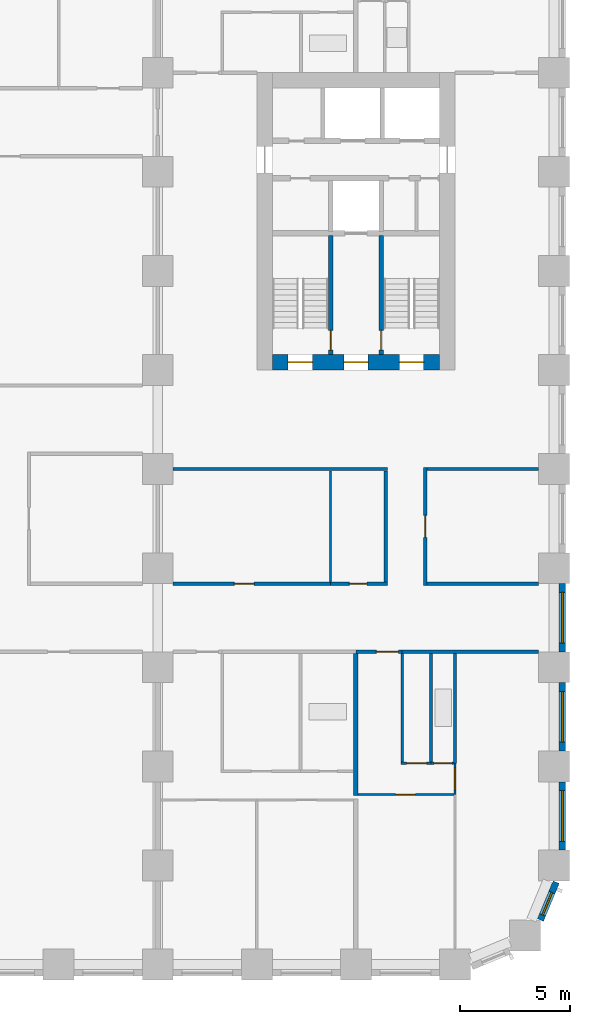
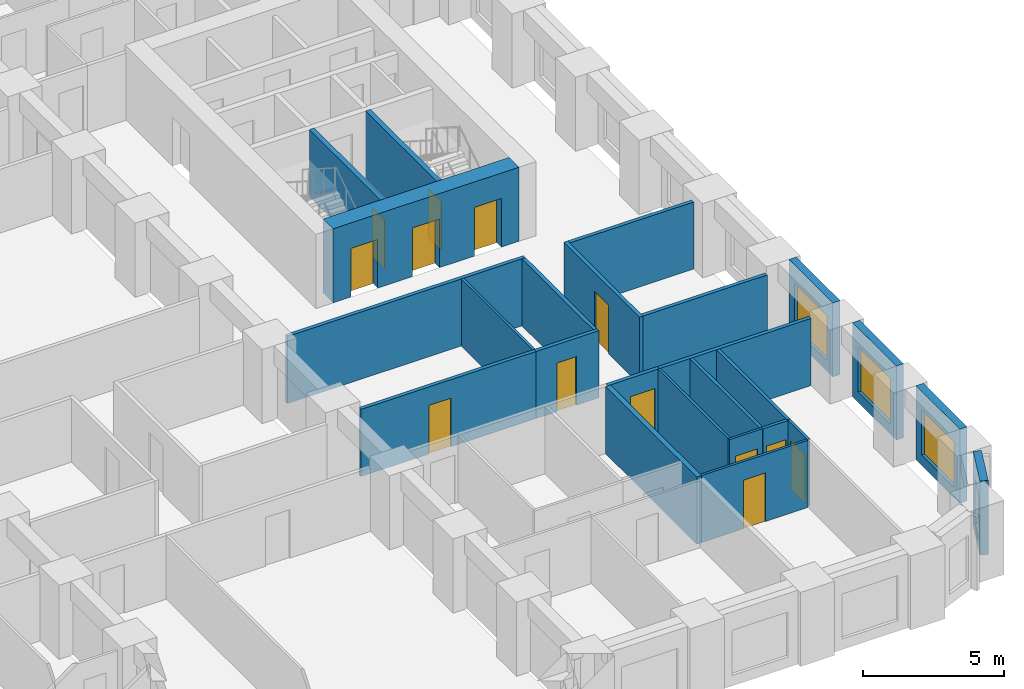
# One storey, part 5 of 12: 25 walls, 13 doors, 4 windows, 17 openings.
"""IFC4 building model written with IfcOpenShell, lengths in metres."""

from ifc_helpers import new_model, si_unit, direction, frame, frame_2d, origin, place, context, subcontext, project, spatial, rectangle, extrude, material, layer, layer_set, type_object, element, fill, save


model = new_model("IFC4")

# Units and contexts
model_context = context("Model", 3, precision=1e-05, world=origin(), true_north=direction((0.0, 1.0)))
body_context = subcontext(model_context, "Body", "Model", "MODEL_VIEW")
ifc_project = project(units=[si_unit("LENGTHUNIT", "METRE"), si_unit("AREAUNIT", "SQUARE_METRE"), si_unit("VOLUMEUNIT", "CUBIC_METRE"), si_unit("PLANEANGLEUNIT", "RADIAN"), si_unit("MASSUNIT", "GRAM", prefix="KILO")], contexts=[model_context])

# Site, building, storey
site_placement = place(None, origin())
site = spatial("IfcSite", under=ifc_project, at=site_placement, CompositionType="ELEMENT")
building_placement = place(site_placement, origin())
building = spatial("IfcBuilding", under=site, at=building_placement, Name="Girih Gate Residences", CompositionType="ELEMENT")
storey_placement = place(building_placement, frame((0.0, 0.0, 65.60009765625)))
storey = spatial("IfcBuildingStorey", under=building, at=storey_placement, Name="L17", CompositionType="ELEMENT", Elevation=65.60009765625)

# Wall, opening, door
ifc_material_1 = material(Name="Gypsum board on steel studs", Category="steel")
ifc_layer_1 = layer(ifc_material_1, 0.14990234375)
ifc_layer_set_1 = layer_set([ifc_layer_1], Name="Compartment wall 150 mm")
wall_type_1 = type_object("IfcWallType", Name="Compartment wall 150 mm", PredefinedType="PARTITIONING", material=ifc_layer_set_1)
wall_1_placement = place(storey_placement, frame((42.60009765625, 14.199951171875, 0.0), z_axis=(0.0, 0.0, 1.0), x_axis=(-1.0, 0.0, 0.0)))
wall_1 = element("IfcWall", 1, at=wall_1_placement, inside=storey, type_object=wall_type_1, Name="L17 partition", PredefinedType="PARTITIONING", context=body_context, shape_type="SweptSolid", body=[
    extrude(rectangle(XDim=2.10009765625, YDim=0.14990234375, at=frame_2d((1.050048828125, 0.0))), origin(), (0.0, 0.0, 1.0), 2.89990234375),
])
opening_1_placement = place(wall_1_placement, frame((0.175048828125, 0.0, 0.0)))
opening_1 = element("IfcOpeningElement", 2, at=opening_1_placement, cuts=wall_1, Name="Opening A17-022", PredefinedType="OPENING", context=body_context, shape_type="SweptSolid", body=[
    extrude(rectangle(XDim=1.0, YDim=2.10009765625, at=frame_2d((0.5, 1.050048828125))), frame((0.0, 0.0849609375, 0.0), z_axis=(0.0, -1.0, 0.0), x_axis=(1.0, 0.0, 0.0)), (0.0, 0.0, 1.0), 0.169921875),
])
ifc_material_2 = material(Name="Timber, fire-rated core", Category="wood")
door_type_1 = type_object("IfcDoorType", Name="Flat entrance door 1000x2100 FD30S", OperationType="NOTDEFINED", PredefinedType="DOOR", material=ifc_material_2)
door_1_placement = place(opening_1_placement, origin())
door_1 = element("IfcDoor", 3, at=door_1_placement, inside=storey, type_object=door_type_1, Name="Door A17-022", OperationType="SINGLE_SWING_LEFT", OverallHeight=2.10009765625, OverallWidth=1.0, PredefinedType="DOOR", context=body_context, shape_type="SweptSolid", body=[
    extrude(rectangle(XDim=1.0, YDim=2.10009765625, at=frame_2d((0.5, 1.050048828125))), frame((0.0, 0.02490234375, 0.0), z_axis=(0.0, -1.0, 0.0), x_axis=(1.0, 0.0, 0.0)), (0.0, 0.0, 1.0), 0.050048828125),
])
fill(opening_1, door_1)

# Wall
wall_2_placement = place(storey_placement, frame((42.60009765625, 14.199951171875, 0.0), z_axis=(0.0, 0.0, 1.0), x_axis=(1.0, 0.0, 0.0)))
element("IfcWall", 4, at=wall_2_placement, inside=storey, type_object=wall_type_1, Name="L17 partition", PredefinedType="PARTITIONING", context=body_context, shape_type="SweptSolid", body=[
    extrude(rectangle(XDim=6.199951171875, YDim=0.14990234375, at=frame_2d((3.10009765625, 0.0))), origin(), (0.0, 0.0, 1.0), 2.89990234375),
])

# Wall, opening, door
wall_3_placement = place(storey_placement, frame((32.199951171875, 17.300048828125, 0.0), z_axis=(0.0, 0.0, 1.0), x_axis=(1.0, 0.0, 0.0)))
wall_3 = element("IfcWall", 5, at=wall_3_placement, inside=storey, type_object=wall_type_1, Name="L17 partition", PredefinedType="PARTITIONING", context=body_context, shape_type="SweptSolid", body=[
    extrude(rectangle(XDim=7.150146484375, YDim=0.14990234375, at=frame_2d((3.5751953125, 0.0))), origin(), (0.0, 0.0, 1.0), 2.89990234375),
])
opening_2_placement = place(wall_3_placement, frame((2.77490234375, 0.0, 0.0)))
opening_2 = element("IfcOpeningElement", 6, at=opening_2_placement, cuts=wall_3, Name="Opening A17-047", PredefinedType="OPENING", context=body_context, shape_type="SweptSolid", body=[
    extrude(rectangle(XDim=0.89990234375, YDim=2.10009765625, at=frame_2d((0.449951171875, 1.050048828125))), frame((0.0, 0.0849609375, 0.0), z_axis=(0.0, -1.0, 0.0), x_axis=(1.0, 0.0, 0.0)), (0.0, 0.0, 1.0), 0.169921875),
])
ifc_material_3 = material(Name="Timber", Category="wood")
door_type_2 = type_object("IfcDoorType", Name="Service room door 900x2100", OperationType="NOTDEFINED", PredefinedType="DOOR", material=ifc_material_3)
door_2_placement = place(opening_2_placement, origin())
door_2 = element("IfcDoor", 7, at=door_2_placement, inside=storey, type_object=door_type_2, Name="Door A17-047", OperationType="SINGLE_SWING_LEFT", OverallHeight=2.10009765625, OverallWidth=0.89990234375, PredefinedType="DOOR", context=body_context, shape_type="SweptSolid", body=[
    extrude(rectangle(XDim=0.89990234375, YDim=2.10009765625, at=frame_2d((0.449951171875, 1.050048828125))), frame((0.0, 0.02490234375, 0.0), z_axis=(0.0, -1.0, 0.0), x_axis=(1.0, 0.0, 0.0)), (0.0, 0.0, 1.0), 0.050048828125),
])
fill(opening_2, door_2)

wall_4_placement = place(storey_placement, frame((39.35009765625, 17.300048828125, 0.0), z_axis=(0.0, 0.0, 1.0), x_axis=(1.0, 0.0, 0.0)))
wall_4 = element("IfcWall", 8, at=wall_4_placement, inside=storey, type_object=wall_type_1, Name="L17 partition", PredefinedType="PARTITIONING", context=body_context, shape_type="SweptSolid", body=[
    extrude(rectangle(XDim=2.574951171875, YDim=0.14990234375, at=frame_2d((1.28759765625, 0.0))), origin(), (0.0, 0.0, 1.0), 2.89990234375),
])
opening_3_placement = place(wall_4_placement, frame((0.85009765625, 0.0, 0.0)))
opening_3 = element("IfcOpeningElement", 9, at=opening_3_placement, cuts=wall_4, Name="Opening A17-049", PredefinedType="OPENING", context=body_context, shape_type="SweptSolid", body=[
    extrude(rectangle(XDim=0.800048828125, YDim=2.10009765625, at=frame_2d((0.39990234375, 1.050048828125))), frame((0.0, 0.0849609375, 0.0), z_axis=(0.0, -1.0, 0.0), x_axis=(1.0, 0.0, 0.0)), (0.0, 0.0, 1.0), 0.169921875),
])
door_type_3 = type_object("IfcDoorType", Name="Bathroom door 800x2100", OperationType="NOTDEFINED", PredefinedType="DOOR", material=ifc_material_3)
door_3_placement = place(opening_3_placement, origin())
door_3 = element("IfcDoor", 10, at=door_3_placement, inside=storey, type_object=door_type_3, Name="Door A17-049", OperationType="SINGLE_SWING_LEFT", OverallHeight=2.10009765625, OverallWidth=0.800048828125, PredefinedType="DOOR", context=body_context, shape_type="SweptSolid", body=[
    extrude(rectangle(XDim=0.800048828125, YDim=2.10009765625, at=frame_2d((0.39990234375, 1.050048828125))), frame((0.0, 0.02490234375, 0.0), z_axis=(0.0, -1.0, 0.0), x_axis=(1.0, 0.0, 0.0)), (0.0, 0.0, 1.0), 0.050048828125),
])
fill(opening_3, door_3)

# Walls
wall_5_placement = place(storey_placement, frame((43.72509765625, 17.300048828125, 0.0), z_axis=(0.0, 0.0, 1.0), x_axis=(1.0, 0.0, 0.0)))
element("IfcWall", 11, at=wall_5_placement, inside=storey, type_object=wall_type_1, Name="L17 partition", PredefinedType="PARTITIONING", context=body_context, shape_type="SweptSolid", body=[
    extrude(rectangle(XDim=5.074951171875, YDim=0.14990234375, at=frame_2d((2.53759765625, 0.0))), origin(), (0.0, 0.0, 1.0), 2.89990234375),
])
wall_6_placement = place(storey_placement, frame((32.199951171875, 22.5, 0.0), z_axis=(0.0, 0.0, 1.0), x_axis=(1.0, 0.0, 0.0)))
element("IfcWall", 12, at=wall_6_placement, inside=storey, type_object=wall_type_1, Name="L17 partition", PredefinedType="PARTITIONING", context=body_context, shape_type="SweptSolid", body=[
    extrude(rectangle(XDim=9.72509765625, YDim=0.14990234375, at=frame_2d((4.862548828125, 0.0))), origin(), (0.0, 0.0, 1.0), 2.89990234375),
])
wall_7_placement = place(storey_placement, frame((43.72509765625, 22.5, 0.0), z_axis=(0.0, 0.0, 1.0), x_axis=(1.0, 0.0, 0.0)))
element("IfcWall", 13, at=wall_7_placement, inside=storey, type_object=wall_type_1, Name="L17 partition", PredefinedType="PARTITIONING", context=body_context, shape_type="SweptSolid", body=[
    extrude(rectangle(XDim=5.074951171875, YDim=0.14990234375, at=frame_2d((2.53759765625, 0.0))), origin(), (0.0, 0.0, 1.0), 2.89990234375),
])
wall_8_placement = place(storey_placement, frame((41.85009765625, 17.375, 0.0), z_axis=(0.0, 0.0, 1.0), x_axis=(0.0, 1.0, 0.0)))
element("IfcWall", 14, at=wall_8_placement, inside=storey, type_object=wall_type_1, Name="L17 partition", PredefinedType="PARTITIONING", context=body_context, shape_type="SweptSolid", body=[
    extrude(rectangle(XDim=5.050048828125, YDim=0.14990234375, at=frame_2d((2.52490234375, 0.0))), origin(), (0.0, 0.0, 1.0), 2.89990234375),
])

# Wall, opening, door
wall_9_placement = place(storey_placement, frame((43.64990234375, 22.574951171875, 0.0), z_axis=(0.0, 0.0, 1.0), x_axis=(0.0, -1.0, 0.0)))
wall_9 = element("IfcWall", 15, at=wall_9_placement, inside=storey, type_object=wall_type_1, Name="L17 partition", PredefinedType="PARTITIONING", context=body_context, shape_type="SweptSolid", body=[
    extrude(rectangle(XDim=5.349853515625, YDim=0.14990234375, at=frame_2d((2.6748046875, 0.0))), origin(), (0.0, 0.0, 1.0), 2.89990234375),
])
opening_4_placement = place(wall_9_placement, frame((2.175048828125, 0.0, 0.0)))
opening_4 = element("IfcOpeningElement", 16, at=opening_4_placement, cuts=wall_9, Name="Opening A17-051", PredefinedType="OPENING", context=body_context, shape_type="SweptSolid", body=[
    extrude(rectangle(XDim=1.0, YDim=2.10009765625, at=frame_2d((0.5, 1.050048828125))), frame((0.0, 0.0849609375, 0.0), z_axis=(0.0, -1.0, 0.0), x_axis=(1.0, 0.0, 0.0)), (0.0, 0.0, 1.0), 0.169921875),
])
door_type_4 = type_object("IfcDoorType", Name="Amenity room door 1000x2100 FD30S", OperationType="NOTDEFINED", PredefinedType="DOOR", material=ifc_material_2)
door_4_placement = place(opening_4_placement, origin())
door_4 = element("IfcDoor", 17, at=door_4_placement, inside=storey, type_object=door_type_4, Name="Door A17-051", OperationType="SINGLE_SWING_RIGHT", OverallHeight=2.10009765625, OverallWidth=1.0, PredefinedType="DOOR", context=body_context, shape_type="SweptSolid", body=[
    extrude(rectangle(XDim=1.0, YDim=2.10009765625, at=frame_2d((0.5, 1.050048828125))), frame((0.0, 0.02490234375, 0.0), z_axis=(0.0, -1.0, 0.0), x_axis=(1.0, 0.0, 0.0)), (0.0, 0.0, 1.0), 0.050048828125),
])
fill(opening_4, door_4)

# Wall, openings, doors
ifc_material_4 = material(Name="Concrete C60/75", Category="concrete")
ifc_layer_2 = layer(ifc_material_4, 0.699951171875)
ifc_layer_set_2 = layer_set([ifc_layer_2], Name="Core wall RC 700 Concrete C60/75")
wall_type_2 = type_object("IfcWallType", Name="Core wall RC 700 Concrete C60/75", PredefinedType="SOLIDWALL", material=ifc_layer_set_2)
wall_10_placement = place(storey_placement, frame((36.699951171875, 27.35009765625, 0.0), z_axis=(0.0, 0.0, 1.0), x_axis=(1.0, 0.0, 0.0)))
wall_10 = element("IfcWall", 18, at=wall_10_placement, inside=storey, type_object=wall_type_2, Name="Core wall E-S L17", PredefinedType="SOLIDWALL", context=body_context, shape_type="SweptSolid", body=[
    extrude(rectangle(XDim=7.60009765625, YDim=0.699951171875, at=frame_2d((3.800048828125, 0.0))), origin(), (0.0, 0.0, 1.0), 3.199951171875),
])
opening_5_placement = place(wall_10_placement, frame((5.77490234375, 0.0, 0.0)))
opening_5 = element("IfcOpeningElement", 19, at=opening_5_placement, cuts=wall_10, Name="Opening D-L17-E-010", PredefinedType="OPENING", context=body_context, shape_type="SweptSolid", body=[
    extrude(rectangle(XDim=1.10009765625, YDim=2.10009765625, at=frame_2d((0.550048828125, 1.050048828125))), frame((0.0, 0.35986328125, 0.0), z_axis=(0.0, -1.0, 0.0), x_axis=(1.0, 0.0, 0.0)), (0.0, 0.0, 1.0), 0.719970703125),
])
opening_6_placement = place(wall_10_placement, frame((3.25, 0.0, 0.0)))
opening_6 = element("IfcOpeningElement", 20, at=opening_6_placement, cuts=wall_10, Name="Opening D-L17-E-011", PredefinedType="OPENING", context=body_context, shape_type="SweptSolid", body=[
    extrude(rectangle(XDim=1.10009765625, YDim=2.10009765625, at=frame_2d((0.550048828125, 1.050048828125))), frame((0.0, 0.35986328125, 0.0), z_axis=(0.0, -1.0, 0.0), x_axis=(1.0, 0.0, 0.0)), (0.0, 0.0, 1.0), 0.719970703125),
])
opening_7_placement = place(wall_10_placement, frame((0.72509765625, 0.0, 0.0)))
opening_7 = element("IfcOpeningElement", 21, at=opening_7_placement, cuts=wall_10, Name="Opening D-L17-E-012", PredefinedType="OPENING", context=body_context, shape_type="SweptSolid", body=[
    extrude(rectangle(XDim=1.10009765625, YDim=2.10009765625, at=frame_2d((0.550048828125, 1.050048828125))), frame((0.0, 0.35986328125, 0.0), z_axis=(0.0, -1.0, 0.0), x_axis=(1.0, 0.0, 0.0)), (0.0, 0.0, 1.0), 0.719970703125),
])
ifc_material_5 = material(Name="Painted steel, fire-resisting", Category="steel")
door_type_5 = type_object("IfcDoorType", Name="Fire door 1100x2100", OperationType="SINGLE_SWING_LEFT", PredefinedType="DOOR", material=ifc_material_5)
door_5_placement = place(opening_5_placement, origin())
door_5 = element("IfcDoor", 22, at=door_5_placement, inside=storey, type_object=door_type_5, Name="L17 E core door sta-out", OperationType="SINGLE_SWING_LEFT", OverallHeight=2.10009765625, OverallWidth=1.10009765625, PredefinedType="DOOR", context=body_context, shape_type="SweptSolid", body=[
    extrude(rectangle(XDim=1.10009765625, YDim=2.10009765625, at=frame_2d((0.550048828125, 1.050048828125))), frame((0.0, 0.02490234375, 0.0), z_axis=(0.0, -1.0, 0.0), x_axis=(1.0, 0.0, 0.0)), (0.0, 0.0, 1.0), 0.050048828125),
])
fill(opening_5, door_5)
door_6_placement = place(opening_6_placement, origin())
door_6 = element("IfcDoor", 23, at=door_6_placement, inside=storey, type_object=door_type_5, Name="L17 E core door ffl-out", OperationType="SINGLE_SWING_LEFT", OverallHeight=2.10009765625, OverallWidth=1.10009765625, PredefinedType="DOOR", context=body_context, shape_type="SweptSolid", body=[
    extrude(rectangle(XDim=1.10009765625, YDim=2.10009765625, at=frame_2d((0.550048828125, 1.050048828125))), frame((0.0, 0.02490234375, 0.0), z_axis=(0.0, -1.0, 0.0), x_axis=(1.0, 0.0, 0.0)), (0.0, 0.0, 1.0), 0.050048828125),
])
fill(opening_6, door_6)
door_7_placement = place(opening_7_placement, origin())
door_7 = element("IfcDoor", 24, at=door_7_placement, inside=storey, type_object=door_type_5, Name="L17 E core door stb-out", OperationType="SINGLE_SWING_LEFT", OverallHeight=2.10009765625, OverallWidth=1.10009765625, PredefinedType="DOOR", context=body_context, shape_type="SweptSolid", body=[
    extrude(rectangle(XDim=1.10009765625, YDim=2.10009765625, at=frame_2d((0.550048828125, 1.050048828125))), frame((0.0, 0.02490234375, 0.0), z_axis=(0.0, -1.0, 0.0), x_axis=(1.0, 0.0, 0.0)), (0.0, 0.0, 1.0), 0.050048828125),
])
fill(opening_7, door_7)

# Wall, opening, door
ifc_layer_3 = layer(ifc_material_1, 0.10009765625)
ifc_layer_set_3 = layer_set([ifc_layer_3], Name="Partition 100 mm")
wall_type_3 = type_object("IfcWallType", Name="Partition 100 mm", PredefinedType="PARTITIONING", material=ifc_layer_set_3)
wall_11_placement = place(storey_placement, frame((44.949951171875, 7.719970703125, 0.0), z_axis=(0.0, 0.0, 1.0), x_axis=(-1.0, 0.0, 0.0)))
wall_11 = element("IfcWall", 25, at=wall_11_placement, inside=storey, type_object=wall_type_3, Name="L17 partition", PredefinedType="PARTITIONING", context=body_context, shape_type="SweptSolid", body=[
    extrude(rectangle(XDim=4.349853515625, YDim=0.10009765625, at=frame_2d((2.1748046875, 0.0))), origin(), (0.0, 0.0, 1.0), 2.89990234375),
])
opening_8_placement = place(wall_11_placement, frame((1.75, 0.0, 0.0)))
opening_8 = element("IfcOpeningElement", 26, at=opening_8_placement, cuts=wall_11, Name="Opening A17-019", PredefinedType="OPENING", context=body_context, shape_type="SweptSolid", body=[
    extrude(rectangle(XDim=0.89990234375, YDim=2.10009765625, at=frame_2d((0.449951171875, 1.050048828125))), frame((0.0, 0.06005859375, 0.0), z_axis=(0.0, -1.0, 0.0), x_axis=(1.0, 0.0, 0.0)), (0.0, 0.0, 1.0), 0.1201171875),
])
door_type_6 = type_object("IfcDoorType", Name="Bedroom door 900x2100", OperationType="NOTDEFINED", PredefinedType="DOOR", material=ifc_material_3)
door_8_placement = place(opening_8_placement, origin())
door_8 = element("IfcDoor", 27, at=door_8_placement, inside=storey, type_object=door_type_6, Name="Door A17-019", OperationType="SINGLE_SWING_RIGHT", OverallHeight=2.10009765625, OverallWidth=0.89990234375, PredefinedType="DOOR", context=body_context, shape_type="SweptSolid", body=[
    extrude(rectangle(XDim=0.89990234375, YDim=2.10009765625, at=frame_2d((0.449951171875, 1.050048828125))), frame((0.0, 0.02490234375, 0.0), z_axis=(0.0, -1.0, 0.0), x_axis=(1.0, 0.0, 0.0)), (0.0, 0.0, 1.0), 0.050048828125),
])
fill(opening_8, door_8)

# Wall
wall_12_placement = place(storey_placement, frame((42.60009765625, 9.18994140625, 0.0), z_axis=(0.0, 0.0, 1.0), x_axis=(0.0, 1.0, 0.0)))
element("IfcWall", 28, at=wall_12_placement, inside=storey, type_object=wall_type_3, Name="L17 partition", PredefinedType="PARTITIONING", context=body_context, shape_type="SweptSolid", body=[
    extrude(rectangle(XDim=4.93505859375, YDim=0.10009765625, at=frame_2d((2.467529296875, 0.0))), origin(), (0.0, 0.0, 1.0), 2.89990234375),
])

# Wall, opening, door
wall_13_placement = place(storey_placement, frame((42.550048828125, 9.139892578125, 0.0), z_axis=(0.0, 0.0, 1.0), x_axis=(1.0, 0.0, 0.0)))
wall_13 = element("IfcWall", 29, at=wall_13_placement, inside=storey, type_object=wall_type_3, Name="L17 partition", PredefinedType="PARTITIONING", context=body_context, shape_type="SweptSolid", body=[
    extrude(rectangle(XDim=1.359130859375, YDim=0.10009765625, at=frame_2d((0.6796875, 0.0))), origin(), (0.0, 0.0, 1.0), 2.89990234375),
])
opening_9_placement = place(wall_13_placement, frame((0.25439453125, 0.0, 0.0)))
opening_9 = element("IfcOpeningElement", 30, at=opening_9_placement, cuts=wall_13, Name="Opening A17-020", PredefinedType="OPENING", context=body_context, shape_type="SweptSolid", body=[
    extrude(rectangle(XDim=0.89990234375, YDim=2.10009765625, at=frame_2d((0.449951171875, 1.050048828125))), frame((0.0, 0.06005859375, 0.0), z_axis=(0.0, -1.0, 0.0), x_axis=(1.0, 0.0, 0.0)), (0.0, 0.0, 1.0), 0.1201171875),
])
door_type_7 = type_object("IfcDoorType", Name="Kitchen door 900x2100", OperationType="NOTDEFINED", PredefinedType="DOOR", material=ifc_material_3)
door_9_placement = place(opening_9_placement, origin())
door_9 = element("IfcDoor", 31, at=door_9_placement, inside=storey, type_object=door_type_7, Name="Door A17-020", OperationType="SINGLE_SWING_RIGHT", OverallHeight=2.10009765625, OverallWidth=0.89990234375, PredefinedType="DOOR", context=body_context, shape_type="SweptSolid", body=[
    extrude(rectangle(XDim=0.89990234375, YDim=2.10009765625, at=frame_2d((0.449951171875, 1.050048828125))), frame((0.0, 0.02490234375, 0.0), z_axis=(0.0, -1.0, 0.0), x_axis=(1.0, 0.0, 0.0)), (0.0, 0.0, 1.0), 0.050048828125),
])
fill(opening_9, door_9)

wall_14_placement = place(storey_placement, frame((45.0, 9.139892578125, 0.0), z_axis=(0.0, 0.0, 1.0), x_axis=(0.0, -1.0, 0.0)))
wall_14 = element("IfcWall", 32, at=wall_14_placement, inside=storey, type_object=wall_type_3, Name="L17 partition", PredefinedType="PARTITIONING", context=body_context, shape_type="SweptSolid", body=[
    extrude(rectangle(XDim=1.419921875, YDim=0.10009765625, at=frame_2d((0.7099609375, 0.0))), origin(), (0.0, 0.0, 1.0), 2.89990234375),
])
opening_10_placement = place(wall_14_placement, frame((0.2099609375, 0.0, 0.0)))
opening_10 = element("IfcOpeningElement", 33, at=opening_10_placement, cuts=wall_14, Name="Opening A17-021", PredefinedType="OPENING", context=body_context, shape_type="SweptSolid", body=[
    extrude(rectangle(XDim=1.0, YDim=2.10009765625, at=frame_2d((0.5, 1.050048828125))), frame((0.0, 0.06005859375, 0.0), z_axis=(0.0, -1.0, 0.0), x_axis=(1.0, 0.0, 0.0)), (0.0, 0.0, 1.0), 0.1201171875),
])
door_type_8 = type_object("IfcDoorType", Name="Living room door 1000x2100", OperationType="NOTDEFINED", PredefinedType="DOOR", material=ifc_material_3)
door_10_placement = place(opening_10_placement, origin())
door_10 = element("IfcDoor", 34, at=door_10_placement, inside=storey, type_object=door_type_8, Name="Door A17-021", OperationType="SINGLE_SWING_RIGHT", OverallHeight=2.10009765625, OverallWidth=1.0, PredefinedType="DOOR", context=body_context, shape_type="SweptSolid", body=[
    extrude(rectangle(XDim=1.0, YDim=2.10009765625, at=frame_2d((0.5, 1.050048828125))), frame((0.0, 0.02490234375, 0.0), z_axis=(0.0, -1.0, 0.0), x_axis=(1.0, 0.0, 0.0)), (0.0, 0.0, 1.0), 0.050048828125),
])
fill(opening_10, door_10)

# Walls
wall_15_placement = place(storey_placement, frame((39.35009765625, 17.375, 0.0), z_axis=(0.0, 0.0, 1.0), x_axis=(0.0, 1.0, 0.0)))
element("IfcWall", 35, at=wall_15_placement, inside=storey, type_object=wall_type_3, Name="L17 partition", PredefinedType="PARTITIONING", context=body_context, shape_type="SweptSolid", body=[
    extrude(rectangle(XDim=5.050048828125, YDim=0.10009765625, at=frame_2d((2.52490234375, 0.0))), origin(), (0.0, 0.0, 1.0), 2.89990234375),
])
ifc_layer_4 = layer(ifc_material_1, 0.199951171875)
ifc_layer_set_4 = layer_set([ifc_layer_4], Name="Party wall 200 mm")
wall_type_4 = type_object("IfcWallType", Name="Party wall 200 mm", PredefinedType="PARTITIONING", material=ifc_layer_set_4)
wall_16_placement = place(storey_placement, frame((40.5, 7.669921875, 0.0), z_axis=(0.0, 0.0, 1.0), x_axis=(0.0, 1.0, 0.0)))
element("IfcWall", 36, at=wall_16_placement, inside=storey, type_object=wall_type_4, Name="L17 partition", PredefinedType="PARTITIONING", context=body_context, shape_type="SweptSolid", body=[
    extrude(rectangle(XDim=6.455078125, YDim=0.199951171875, at=frame_2d((3.2275390625, 0.0))), origin(), (0.0, 0.0, 1.0), 2.89990234375),
])

# Wall, opening, window
ifc_material_6 = material(Name="Precast concrete C50/60", Category="concrete")
ifc_layer_5 = layer(ifc_material_6, 0.080078125, Name="Outer leaf")
ifc_material_7 = material(Name="Rigid PIR insulation")
ifc_layer_6 = layer(ifc_material_7, 0.14990234375, Name="Insulation")
ifc_material_8 = material(Name="Precast concrete C40/50", Category="concrete")
ifc_layer_7 = layer(ifc_material_8, 0.070068359375, Name="Inner leaf")
ifc_layer_set_5 = layer_set([ifc_layer_5, ifc_layer_6, ifc_layer_7], Name="Precast concrete C50/60 external wall 300")
wall_type_5 = type_object("IfcWallType", Name="Precast concrete C50/60 external wall 300", PredefinedType="SOLIDWALL", material=ifc_layer_set_5)
wall_17_placement = place(storey_placement, frame((49.59228515625, 3.74267578125, 0.0), z_axis=(0.0, 0.0, 1.0), x_axis=(-0.382737135771, -0.923857286003, 0.0)))
wall_17 = element("IfcWall", 37, at=wall_17_placement, inside=storey, type_object=wall_type_5, Name="External wall SE0482_0013.0", PredefinedType="SOLIDWALL", context=body_context, shape_type="SweptSolid", body=[
    extrude(rectangle(XDim=1.865234375, YDim=0.300048828125, at=frame_2d((0.9326171875, 0.0))), origin(), (0.0, 0.0, 1.0), 3.199951171875),
])
opening_11_placement = place(wall_17_placement, frame((0.507568359375, 0.0, 0.449951171875)))
opening_11 = element("IfcOpeningElement", 38, at=opening_11_placement, cuts=wall_17, Name="Opening W-2C", PredefinedType="OPENING", context=body_context, shape_type="SweptSolid", body=[
    extrude(rectangle(XDim=1.10009765625, YDim=1.949951171875, at=frame_2d((0.550048828125, 0.97509765625))), frame((0.0, 0.159912109375, 0.0), z_axis=(0.0, -1.0, 0.0), x_axis=(1.0, 0.0, 0.0)), (0.0, 0.0, 1.0), 0.320068359375),
])
ifc_material_9 = material(Name="Double glazing in aluminium frame", Category="aluminium")
window_type_1 = type_object("IfcWindowType", Name="Window W-2C 1100x1950", PartitioningType="SINGLE_PANEL", PredefinedType="WINDOW", material=ifc_material_9)
window_1_placement = place(opening_11_placement, origin())
window_1 = element("IfcWindow", 39, at=window_1_placement, inside=storey, type_object=window_type_1, Name="Window W-2C SE0482_0013.0", OverallHeight=1.949951171875, OverallWidth=1.10009765625, PartitioningType="SINGLE_PANEL", PredefinedType="WINDOW", context=body_context, shape_type="SweptSolid", body=[
    extrude(rectangle(XDim=1.10009765625, YDim=1.949951171875, at=frame_2d((0.550048828125, 0.97509765625))), frame((0.0, 0.030029296875, 0.0), z_axis=(0.0, -1.0, 0.0), x_axis=(1.0, 0.0, 0.0)), (0.0, 0.0, 1.0), 0.06005859375),
])
fill(opening_11, window_1)

wall_18_placement = place(storey_placement, frame((49.875, 8.300048828125, 0.0), z_axis=(0.0, 0.0, 1.0), x_axis=(0.0, -1.0, 0.0)))
wall_18 = element("IfcWall", 40, at=wall_18_placement, inside=storey, type_object=wall_type_5, Name="External wall E0495_0045.0", PredefinedType="SOLIDWALL", context=body_context, shape_type="SweptSolid", body=[
    extrude(rectangle(XDim=3.10009765625, YDim=0.300048828125, at=frame_2d((1.550048828125, 0.0))), origin(), (0.0, 0.0, 1.0), 3.199951171875),
])
opening_12_placement = place(wall_18_placement, frame((0.39990234375, 0.0, 0.449951171875)))
opening_12 = element("IfcOpeningElement", 41, at=opening_12_placement, cuts=wall_18, Name="Opening W-1", PredefinedType="OPENING", context=body_context, shape_type="SweptSolid", body=[
    extrude(rectangle(XDim=2.300048828125, YDim=1.949951171875, at=frame_2d((1.14990234375, 0.97509765625))), frame((0.0, 0.159912109375, 0.0), z_axis=(0.0, -1.0, 0.0), x_axis=(1.0, 0.0, 0.0)), (0.0, 0.0, 1.0), 0.320068359375),
])
window_type_2 = type_object("IfcWindowType", Name="Window W-1 2300x1950", PartitioningType="SINGLE_PANEL", PredefinedType="WINDOW", material=ifc_material_9)
window_2_placement = place(opening_12_placement, origin())
window_2 = element("IfcWindow", 42, at=window_2_placement, inside=storey, type_object=window_type_2, Name="Window W-1 E0495_0045.0", OverallHeight=1.949951171875, OverallWidth=2.300048828125, PartitioningType="SINGLE_PANEL", PredefinedType="WINDOW", context=body_context, shape_type="SweptSolid", body=[
    extrude(rectangle(XDim=2.300048828125, YDim=1.949951171875, at=frame_2d((1.14990234375, 0.97509765625))), frame((0.0, 0.030029296875, 0.0), z_axis=(0.0, -1.0, 0.0), x_axis=(1.0, 0.0, 0.0)), (0.0, 0.0, 1.0), 0.06005859375),
])
fill(opening_12, window_2)

wall_19_placement = place(storey_placement, frame((49.875, 12.800048828125, 0.0), z_axis=(0.0, 0.0, 1.0), x_axis=(0.0, -1.0, 0.0)))
wall_19 = element("IfcWall", 43, at=wall_19_placement, inside=storey, type_object=wall_type_5, Name="External wall E0495_0045.1", PredefinedType="SOLIDWALL", context=body_context, shape_type="SweptSolid", body=[
    extrude(rectangle(XDim=3.10009765625, YDim=0.300048828125, at=frame_2d((1.550048828125, 0.0))), origin(), (0.0, 0.0, 1.0), 3.199951171875),
])
opening_13_placement = place(wall_19_placement, frame((0.39990234375, 0.0, 0.449951171875)))
opening_13 = element("IfcOpeningElement", 44, at=opening_13_placement, cuts=wall_19, Name="Opening W-1", PredefinedType="OPENING", context=body_context, shape_type="SweptSolid", body=[
    extrude(rectangle(XDim=2.300048828125, YDim=1.949951171875, at=frame_2d((1.14990234375, 0.97509765625))), frame((0.0, 0.159912109375, 0.0), z_axis=(0.0, -1.0, 0.0), x_axis=(1.0, 0.0, 0.0)), (0.0, 0.0, 1.0), 0.320068359375),
])
window_3_placement = place(opening_13_placement, origin())
window_3 = element("IfcWindow", 45, at=window_3_placement, inside=storey, type_object=window_type_2, Name="Window W-1 E0495_0045.1", OverallHeight=1.949951171875, OverallWidth=2.300048828125, PartitioningType="SINGLE_PANEL", PredefinedType="WINDOW", context=body_context, shape_type="SweptSolid", body=[
    extrude(rectangle(XDim=2.300048828125, YDim=1.949951171875, at=frame_2d((1.14990234375, 0.97509765625))), frame((0.0, 0.030029296875, 0.0), z_axis=(0.0, -1.0, 0.0), x_axis=(1.0, 0.0, 0.0)), (0.0, 0.0, 1.0), 0.06005859375),
])
fill(opening_13, window_3)

wall_20_placement = place(storey_placement, frame((49.875, 17.300048828125, 0.0), z_axis=(0.0, 0.0, 1.0), x_axis=(0.0, -1.0, 0.0)))
wall_20 = element("IfcWall", 46, at=wall_20_placement, inside=storey, type_object=wall_type_5, Name="External wall E0495_0045.2", PredefinedType="SOLIDWALL", context=body_context, shape_type="SweptSolid", body=[
    extrude(rectangle(XDim=3.10009765625, YDim=0.300048828125, at=frame_2d((1.550048828125, 0.0))), origin(), (0.0, 0.0, 1.0), 3.199951171875),
])
opening_14_placement = place(wall_20_placement, frame((0.39990234375, 0.0, 0.449951171875)))
opening_14 = element("IfcOpeningElement", 47, at=opening_14_placement, cuts=wall_20, Name="Opening W-1", PredefinedType="OPENING", context=body_context, shape_type="SweptSolid", body=[
    extrude(rectangle(XDim=2.300048828125, YDim=1.949951171875, at=frame_2d((1.14990234375, 0.97509765625))), frame((0.0, 0.159912109375, 0.0), z_axis=(0.0, -1.0, 0.0), x_axis=(1.0, 0.0, 0.0)), (0.0, 0.0, 1.0), 0.320068359375),
])
window_4_placement = place(opening_14_placement, origin())
window_4 = element("IfcWindow", 48, at=window_4_placement, inside=storey, type_object=window_type_2, Name="Window W-1 E0495_0045.2", OverallHeight=1.949951171875, OverallWidth=2.300048828125, PartitioningType="SINGLE_PANEL", PredefinedType="WINDOW", context=body_context, shape_type="SweptSolid", body=[
    extrude(rectangle(XDim=2.300048828125, YDim=1.949951171875, at=frame_2d((1.14990234375, 0.97509765625))), frame((0.0, 0.030029296875, 0.0), z_axis=(0.0, -1.0, 0.0), x_axis=(1.0, 0.0, 0.0)), (0.0, 0.0, 1.0), 0.06005859375),
])
fill(opening_14, window_4)

# Wall, opening, door
ifc_material_10 = material(Name="Concrete C40/50", Category="concrete")
ifc_layer_8 = layer(ifc_material_10, 0.199951171875)
ifc_layer_set_6 = layer_set([ifc_layer_8], Name="Shaft wall 200")
wall_type_6 = type_object("IfcWallType", Name="Shaft wall 200", PredefinedType="SOLIDWALL", material=ifc_layer_set_6)
wall_21_placement = place(storey_placement, frame((41.64990234375, 27.699951171875, 0.0), z_axis=(0.0, 0.0, 1.0), x_axis=(0.0, 1.0, 0.0)))
wall_21 = element("IfcWall", 49, at=wall_21_placement, inside=storey, type_object=wall_type_6, Name="L17 E core wall V1a", PredefinedType="SOLIDWALL", context=body_context, shape_type="SweptSolid", body=[
    extrude(rectangle(XDim=5.400146484375, YDim=0.199951171875, at=frame_2d((2.7001953125, 0.0))), origin(), (0.0, 0.0, 1.0), 2.89990234375),
])
opening_15_placement = place(wall_21_placement, frame((0.199951171875, 0.0, 0.0)))
opening_15 = element("IfcOpeningElement", 50, at=opening_15_placement, cuts=wall_21, Name="Opening D-L17-E-001", PredefinedType="OPENING", context=body_context, shape_type="SweptSolid", body=[
    extrude(rectangle(XDim=0.89990234375, YDim=2.10009765625, at=frame_2d((0.449951171875, 1.050048828125))), frame((0.0, 0.10986328125, 0.0), z_axis=(0.0, -1.0, 0.0), x_axis=(1.0, 0.0, 0.0)), (0.0, 0.0, 1.0), 0.219970703125),
])
door_type_9 = type_object("IfcDoorType", Name="Fire door 900x2100", OperationType="SINGLE_SWING_LEFT", PredefinedType="DOOR", material=ifc_material_5)
door_11_placement = place(opening_15_placement, origin())
door_11 = element("IfcDoor", 51, at=door_11_placement, inside=storey, type_object=door_type_9, Name="L17 E door stair 1 to firefighting lobby", OperationType="SINGLE_SWING_LEFT", OverallHeight=2.10009765625, OverallWidth=0.89990234375, PredefinedType="DOOR", context=body_context, shape_type="SweptSolid", body=[
    extrude(rectangle(XDim=0.89990234375, YDim=2.10009765625, at=frame_2d((0.449951171875, 1.050048828125))), frame((0.0, 0.02490234375, 0.0), z_axis=(0.0, -1.0, 0.0), x_axis=(1.0, 0.0, 0.0)), (0.0, 0.0, 1.0), 0.050048828125),
])
fill(opening_15, door_11)

wall_22_placement = place(storey_placement, frame((39.35009765625, 27.699951171875, 0.0), z_axis=(0.0, 0.0, 1.0), x_axis=(0.0, 1.0, 0.0)))
wall_22 = element("IfcWall", 52, at=wall_22_placement, inside=storey, type_object=wall_type_6, Name="L17 E core wall V2a", PredefinedType="SOLIDWALL", context=body_context, shape_type="SweptSolid", body=[
    extrude(rectangle(XDim=5.400146484375, YDim=0.199951171875, at=frame_2d((2.7001953125, 0.0))), origin(), (0.0, 0.0, 1.0), 2.89990234375),
])
opening_16_placement = place(wall_22_placement, frame((0.199951171875, 0.0, 0.0)))
opening_16 = element("IfcOpeningElement", 53, at=opening_16_placement, cuts=wall_22, Name="Opening D-L17-E-002", PredefinedType="OPENING", context=body_context, shape_type="SweptSolid", body=[
    extrude(rectangle(XDim=0.89990234375, YDim=2.10009765625, at=frame_2d((0.449951171875, 1.050048828125))), frame((0.0, 0.10986328125, 0.0), z_axis=(0.0, -1.0, 0.0), x_axis=(1.0, 0.0, 0.0)), (0.0, 0.0, 1.0), 0.219970703125),
])
door_12_placement = place(opening_16_placement, origin())
door_12 = element("IfcDoor", 54, at=door_12_placement, inside=storey, type_object=door_type_9, Name="L17 E door stair 2 to firefighting lobby", OperationType="SINGLE_SWING_LEFT", OverallHeight=2.10009765625, OverallWidth=0.89990234375, PredefinedType="DOOR", context=body_context, shape_type="SweptSolid", body=[
    extrude(rectangle(XDim=0.89990234375, YDim=2.10009765625, at=frame_2d((0.449951171875, 1.050048828125))), frame((0.0, 0.02490234375, 0.0), z_axis=(0.0, -1.0, 0.0), x_axis=(1.0, 0.0, 0.0)), (0.0, 0.0, 1.0), 0.050048828125),
])
fill(opening_16, door_12)

ifc_layer_9 = layer(ifc_material_1, 0.125)
ifc_layer_set_7 = layer_set([ifc_layer_9], Name="Wet room wall 125 mm")
wall_type_7 = type_object("IfcWallType", Name="Wet room wall 125 mm", PredefinedType="PARTITIONING", material=ifc_layer_set_7)
wall_23_placement = place(storey_placement, frame((43.9091796875, 9.139892578125, 0.0), z_axis=(0.0, 0.0, 1.0), x_axis=(1.0, 0.0, 0.0)))
wall_23 = element("IfcWall", 55, at=wall_23_placement, inside=storey, type_object=wall_type_7, Name="L17 partition", PredefinedType="PARTITIONING", context=body_context, shape_type="SweptSolid", body=[
    extrude(rectangle(XDim=1.0283203125, YDim=0.125, at=frame_2d((0.51416015625, 0.0))), origin(), (0.0, 0.0, 1.0), 2.89990234375),
])
opening_17_placement = place(wall_23_placement, frame((0.1455078125, 0.0, 0.0)))
opening_17 = element("IfcOpeningElement", 56, at=opening_17_placement, cuts=wall_23, Name="Opening A17-018", PredefinedType="OPENING", context=body_context, shape_type="SweptSolid", body=[
    extrude(rectangle(XDim=0.800048828125, YDim=2.10009765625, at=frame_2d((0.39990234375, 1.050048828125))), frame((0.0, 0.072509765625, 0.0), z_axis=(0.0, -1.0, 0.0), x_axis=(1.0, 0.0, 0.0)), (0.0, 0.0, 1.0), 0.14501953125),
])
door_13_placement = place(opening_17_placement, origin())
door_13 = element("IfcDoor", 57, at=door_13_placement, inside=storey, type_object=door_type_3, Name="Door A17-018", OperationType="SINGLE_SWING_RIGHT", OverallHeight=2.10009765625, OverallWidth=0.800048828125, PredefinedType="DOOR", context=body_context, shape_type="SweptSolid", body=[
    extrude(rectangle(XDim=0.800048828125, YDim=2.10009765625, at=frame_2d((0.39990234375, 1.050048828125))), frame((0.0, 0.02490234375, 0.0), z_axis=(0.0, -1.0, 0.0), x_axis=(1.0, 0.0, 0.0)), (0.0, 0.0, 1.0), 0.050048828125),
])
fill(opening_17, door_13)

# Walls
wall_24_placement = place(storey_placement, frame((43.908935546875, 9.202392578125, 0.0), z_axis=(0.0, 0.0, 1.0), x_axis=(0.0, 1.0, 0.0)))
element("IfcWall", 58, at=wall_24_placement, inside=storey, type_object=wall_type_7, Name="L17 partition", PredefinedType="PARTITIONING", context=body_context, shape_type="SweptSolid", body=[
    extrude(rectangle(XDim=4.922607421875, YDim=0.125, at=frame_2d((2.46142578125, 0.0))), origin(), (0.0, 0.0, 1.0), 2.89990234375),
])
wall_25_placement = place(storey_placement, frame((45.0, 9.139892578125, 0.0), z_axis=(0.0, 0.0, 1.0), x_axis=(0.0, 1.0, 0.0)))
element("IfcWall", 59, at=wall_25_placement, inside=storey, type_object=wall_type_7, Name="L17 partition", PredefinedType="PARTITIONING", context=body_context, shape_type="SweptSolid", body=[
    extrude(rectangle(XDim=4.985107421875, YDim=0.125, at=frame_2d((2.49267578125, 0.0))), origin(), (0.0, 0.0, 1.0), 2.89990234375),
])

save(model, "model.ifc")
